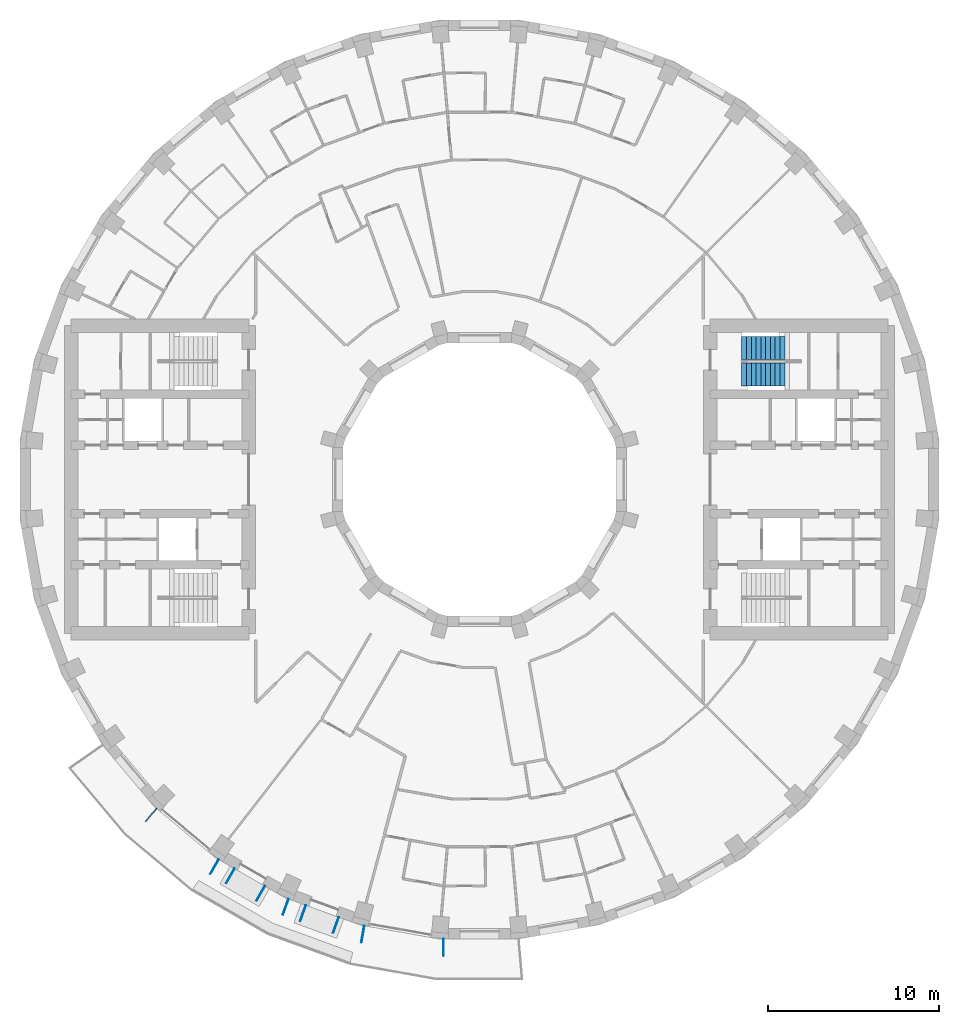
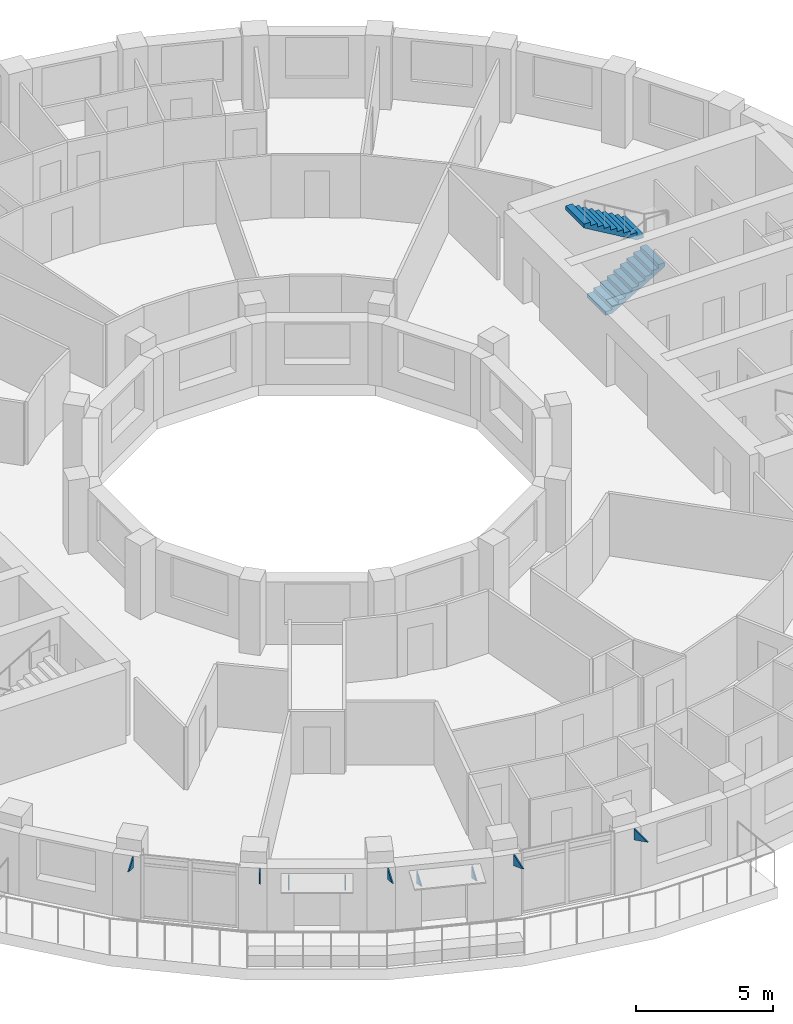
# One storey, part 13 of 14: 9 discrete accessories, 2 stair flights, 1 element without a shape of its own.
"""IFC4 building model written with IfcOpenShell, lengths in metres."""

from ifc_helpers import new_model, si_unit, direction, frame, origin, place, context, subcontext, project, spatial, polyline, outline, extrude, material, layer, layer_set, type_object, element, aggregate, save


model = new_model("IFC4")

# Units and contexts
model_context = context("Model", 3, precision=1e-05, world=origin(), true_north=direction((0.0, 1.0)))
body_context = subcontext(model_context, "Body", "Model", "MODEL_VIEW")
ifc_project = project(units=[si_unit("LENGTHUNIT", "METRE"), si_unit("AREAUNIT", "SQUARE_METRE"), si_unit("VOLUMEUNIT", "CUBIC_METRE"), si_unit("PLANEANGLEUNIT", "RADIAN"), si_unit("MASSUNIT", "GRAM", prefix="KILO")], contexts=[model_context])

# Site, building, storey
site_placement = place(None, origin())
site = spatial("IfcSite", under=ifc_project, at=site_placement, CompositionType="ELEMENT")
building_placement = place(site_placement, origin())
building = spatial("IfcBuilding", under=site, at=building_placement, Name="Saqina Gate Tower", CompositionType="ELEMENT")
storey_placement = place(building_placement, frame((0.0, 0.0, 131.5)))
storey = spatial("IfcBuildingStorey", under=building, at=storey_placement, Name="L37", CompositionType="ELEMENT", Elevation=131.5)

# Stair, stair flights
ifc_material_1 = material(Name="Concrete C40/50", Category="concrete")
stair_type = type_object("IfcStairType", Name="EXIT STAIR", PredefinedType="HALF_TURN_STAIR", material=ifc_material_1)
stair_placement = place(storey_placement, origin())
stair = element("IfcStair", 1, at=stair_placement, inside=storey, type_object=stair_type, Name="EXIT STAIR 1", PredefinedType="HALF_TURN_STAIR")
ifc_material_2 = material(Name="Concrete C40/50", Category="concrete")
stair_flight_type = type_object("IfcStairFlightType", Name="EXIT STAIR FLIGHT", PredefinedType="STRAIGHT", material=ifc_material_2)
stair_flight_1_placement = place(storey_placement, frame((15.35009765625, 6.1416015625, 0.0), z_axis=(0.0, 0.0, 1.0), x_axis=(1.0, 0.0, 0.0)))
stair_flight_1 = element("IfcStairFlight", 2, at=stair_flight_1_placement, type_object=stair_flight_type, Name="EXIT STAIR 1 FLIGHT 1", NumberOfRisers=10, NumberOfTreads=9, PredefinedType="STRAIGHT", RiserHeight=0.165, TreadLength=0.28, context=body_context, shape_type="SweptSolid", body=[
    extrude(outline(polyline([(0.0, 0.0), (0.0, 0.1650390625), (0.280029296875, 0.1650390625), (0.280029296875, 0.330078125), (0.56005859375, 0.330078125), (0.56005859375, 0.4951171875), (0.840087890625, 0.4951171875), (0.840087890625, 0.659912109375), (1.1201171875, 0.659912109375), (1.1201171875, 0.824951171875), (1.39990234375, 0.824951171875), (1.39990234375, 0.989990234375), (1.679931640625, 0.989990234375), (1.679931640625, 1.155029296875), (1.9599609375, 1.155029296875), (1.9599609375, 1.320068359375), (2.239990234375, 1.320068359375), (2.239990234375, 1.485107421875), (2.52001953125, 1.485107421875), (2.52001953125, 1.64990234375), (2.52001953125, 1.31103515625), (0.295166015625, 0.0), (0.0, 0.0)])), frame((0.0, 0.675048828125, 0.0), z_axis=(0.0, -1.0, 0.0), x_axis=(1.0, 0.0, 0.0)), (0.0, 0.0, 1.0), 1.35009765625),
])
stair_flight_2_placement = place(storey_placement, frame((17.8701171875, 7.708251953125, 1.64990234375), z_axis=(0.0, 0.0, 1.0), x_axis=(-1.0, 0.0, 0.0)))
stair_flight_2 = element("IfcStairFlight", 3, at=stair_flight_2_placement, type_object=stair_flight_type, Name="EXIT STAIR 1 FLIGHT 2", NumberOfRisers=10, NumberOfTreads=9, PredefinedType="STRAIGHT", RiserHeight=0.165, TreadLength=0.28, context=body_context, shape_type="SweptSolid", body=[
    extrude(outline(polyline([(0.0, 0.0), (0.0, 0.1650390625), (0.280029296875, 0.1650390625), (0.280029296875, 0.330078125), (0.56005859375, 0.330078125), (0.56005859375, 0.4951171875), (0.840087890625, 0.4951171875), (0.840087890625, 0.659912109375), (1.1201171875, 0.659912109375), (1.1201171875, 0.824951171875), (1.39990234375, 0.824951171875), (1.39990234375, 0.989990234375), (1.679931640625, 0.989990234375), (1.679931640625, 1.155029296875), (1.9599609375, 1.155029296875), (1.9599609375, 1.320068359375), (2.239990234375, 1.320068359375), (2.239990234375, 1.485107421875), (2.52001953125, 1.485107421875), (2.52001953125, 1.64990234375), (2.52001953125, 1.31103515625), (0.295166015625, 0.0), (0.0, 0.0)])), frame((0.0, 0.675048828125, 0.0), z_axis=(0.0, -1.0, 0.0), x_axis=(1.0, 0.0, 0.0)), (0.0, 0.0, 1.0), 1.35009765625),
])
aggregate(stair, [stair_flight_1, stair_flight_2])

# Discrete accessories
ifc_material_3 = material(Name="Galvanised steel", Category="steel")
ifc_layer_1 = layer(ifc_material_3, 0.050048828125)
ifc_layer_set_1 = layer_set([ifc_layer_1], Name="BR-AWNING")
discrete_accessory_type_1 = type_object("IfcDiscreteAccessoryType", Name="BR-AWNING", PredefinedType="BRACKET", material=ifc_layer_set_1)
discrete_accessory_1_placement = place(storey_placement, frame((-14.313720703125, -22.794189453125, 1.97509765625), z_axis=(0.866071776036, -0.499919672301, 0.0), x_axis=(0.0, 0.0, 1.0)))
element("IfcDiscreteAccessory", 4, at=discrete_accessory_1_placement, inside=storey, type_object=discrete_accessory_type_1, Name="Awning bracket L37 facet 24", PredefinedType="BRACKET", context=body_context, shape_type="SweptSolid", body=[
    extrude(outline(polyline([(0.0, 0.0), (0.5498046875, 0.0), (0.5498046875, 1.0001606812130883), (0.0, 0.0)])), origin(), (0.0, 0.0, -1.0), 0.050048828125),
])
discrete_accessory_2_placement = place(storey_placement, frame((-12.540283203125, -23.818115234375, 1.97509765625), z_axis=(0.866010750942, -0.50002537861, 0.0), x_axis=(0.0, 0.0, 1.0)))
element("IfcDiscreteAccessory", 5, at=discrete_accessory_2_placement, inside=storey, type_object=discrete_accessory_type_1, Name="Awning bracket L37 facet 24", PredefinedType="BRACKET", context=body_context, shape_type="SweptSolid", body=[
    extrude(outline(polyline([(0.0, 0.0), (0.5498046875, 0.0), (0.5498046875, 0.9999492453569568), (0.0, 0.0)])), origin(), (0.0, 0.0, -1.0), 0.050048828125),
])
discrete_accessory_3_placement = place(storey_placement, frame((-10.13818359375, -24.93359375, 1.97509765625), z_axis=(0.939764905391, -0.341821477669, 0.0), x_axis=(0.0, 0.0, 1.0)))
element("IfcDiscreteAccessory", 6, at=discrete_accessory_3_placement, inside=storey, type_object=discrete_accessory_type_1, Name="Awning bracket L37 facet 25", PredefinedType="BRACKET", context=body_context, shape_type="SweptSolid", body=[
    extrude(outline(polyline([(0.0, 0.0), (0.5498046875, 0.0), (0.5498046875, 0.9999280248012192), (0.0, 0.0)])), origin(), (0.0, 0.0, -1.0), 0.050048828125),
])
discrete_accessory_4_placement = place(storey_placement, frame((-8.2138671875, -25.6337890625, 1.97509765625), z_axis=(0.939686455819, -0.342037080957, 0.0), x_axis=(0.0, 0.0, 1.0)))
element("IfcDiscreteAccessory", 7, at=discrete_accessory_4_placement, inside=storey, type_object=discrete_accessory_type_1, Name="Awning bracket L37 facet 25", PredefinedType="BRACKET", context=body_context, shape_type="SweptSolid", body=[
    extrude(outline(polyline([(0.0, 0.0), (0.5498046875, 0.0), (0.5498046875, 1.0000115036302748), (0.0, 0.0)])), origin(), (0.0, 0.0, -1.0), 0.050048828125),
])
ifc_material_4 = material(Name="Galvanised steel", Category="steel")
ifc_layer_2 = layer(ifc_material_4, 0.050048828125)
ifc_layer_set_2 = layer_set([ifc_layer_2], Name="BR-GUSSET")
discrete_accessory_type_2 = type_object("IfcDiscreteAccessoryType", Name="BR-GUSSET", PredefinedType="BRACKET", material=ifc_layer_set_2)
discrete_accessory_5_placement = place(storey_placement, frame((-18.881103515625, -19.2685546875, 2.300048828125), z_axis=(0.766055819685, -0.64277405138, 0.0), x_axis=(0.0, 0.0, 1.0)))
element("IfcDiscreteAccessory", 8, at=discrete_accessory_5_placement, inside=storey, type_object=discrete_accessory_type_2, Name="Terrace slab bracket L38 1", PredefinedType="BRACKET", context=body_context, shape_type="SweptSolid", body=[
    extrude(outline(polyline([(0.0, 0.0), (0.5, 0.0), (0.5, 1.0000750096322275), (0.0, 0.0)])), origin(), (0.0, 0.0, -1.0), 0.050048828125),
])
discrete_accessory_6_placement = place(storey_placement, frame((-15.248291015625, -22.254638671875, 2.300048828125), z_axis=(0.866010750942, -0.50002537861, 0.0), x_axis=(0.0, 0.0, 1.0)))
element("IfcDiscreteAccessory", 9, at=discrete_accessory_6_placement, inside=storey, type_object=discrete_accessory_type_2, Name="Terrace slab bracket L38 2", PredefinedType="BRACKET", context=body_context, shape_type="SweptSolid", body=[
    extrude(outline(polyline([(0.0, 0.0), (0.5, 0.0), (0.5, 0.9999492453569568), (0.0, 0.0)])), origin(), (0.0, 0.0, -1.0), 0.050048828125),
])
discrete_accessory_7_placement = place(storey_placement, frame((-11.15234375, -24.564453125, 2.300048828125), z_axis=(0.939686455819, -0.342037080957, 0.0), x_axis=(0.0, 0.0, 1.0)))
element("IfcDiscreteAccessory", 10, at=discrete_accessory_7_placement, inside=storey, type_object=discrete_accessory_type_2, Name="Terrace slab bracket L38 3", PredefinedType="BRACKET", context=body_context, shape_type="SweptSolid", body=[
    extrude(outline(polyline([(0.0, 0.0), (0.5, 0.0), (0.5, 1.000011503630275), (0.0, 0.0)])), origin(), (0.0, 0.0, -1.0), 0.050048828125),
])
discrete_accessory_8_placement = place(storey_placement, frame((-6.71728515625, -26.127685546875, 2.300048828125), z_axis=(0.984820401928, -0.173576426815, 0.0), x_axis=(0.0, 0.0, 1.0)))
element("IfcDiscreteAccessory", 11, at=discrete_accessory_8_placement, inside=storey, type_object=discrete_accessory_type_2, Name="Terrace slab bracket L38 4", PredefinedType="BRACKET", context=body_context, shape_type="SweptSolid", body=[
    extrude(outline(polyline([(0.0, 0.0), (0.5, 0.0), (0.5, 1.000043540245132), (0.0, 0.0)])), origin(), (0.0, 0.0, -1.0), 0.050048828125),
])
discrete_accessory_9_placement = place(storey_placement, frame((-2.078125, -26.897216796875, 2.300048828125), z_axis=(1.0, 0.0, 0.0), x_axis=(0.0, 0.0, 1.0)))
element("IfcDiscreteAccessory", 12, at=discrete_accessory_9_placement, inside=storey, type_object=discrete_accessory_type_2, Name="Terrace slab bracket L38 5", PredefinedType="BRACKET", context=body_context, shape_type="SweptSolid", body=[
    extrude(outline(polyline([(0.0, 0.0), (0.5, 0.0), (0.5, 1.0), (0.0, 0.0)])), origin(), (0.0, 0.0, -1.0), 0.050048828125),
])

save(model, "model.ifc")
